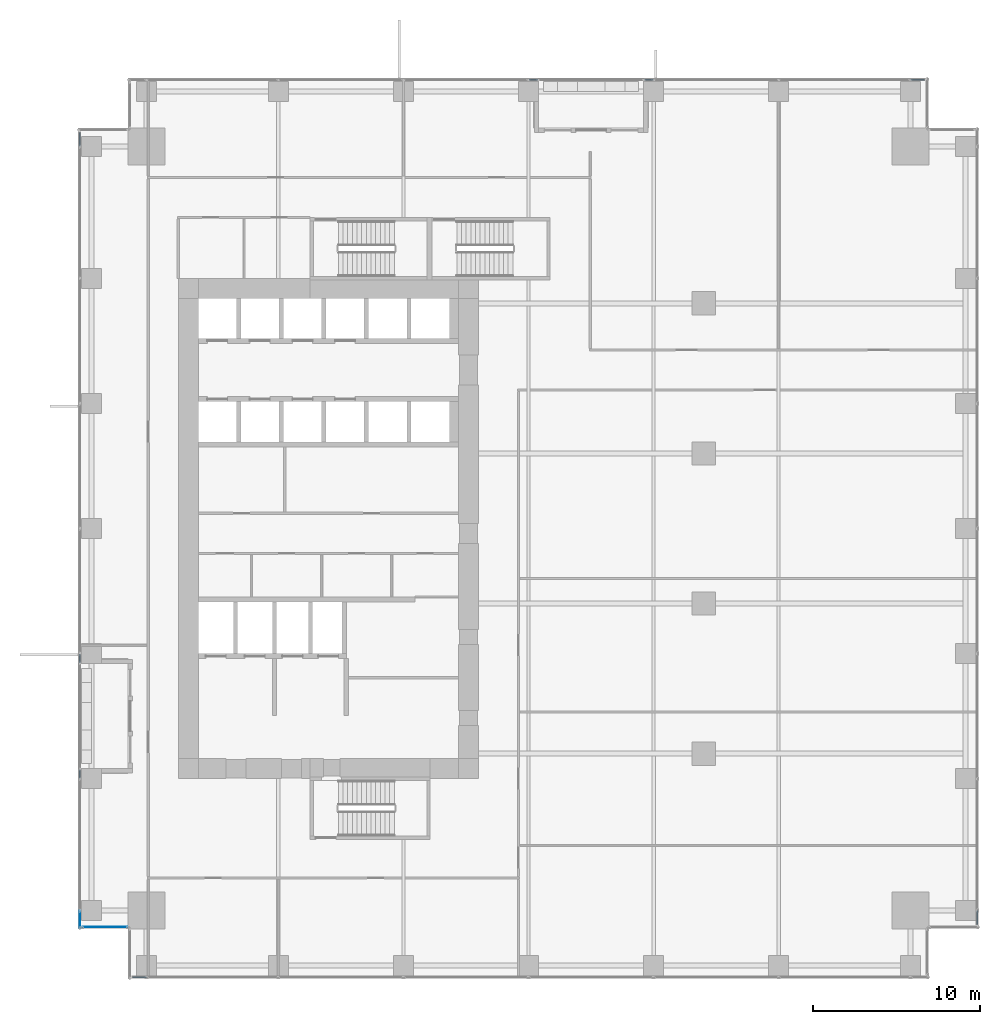
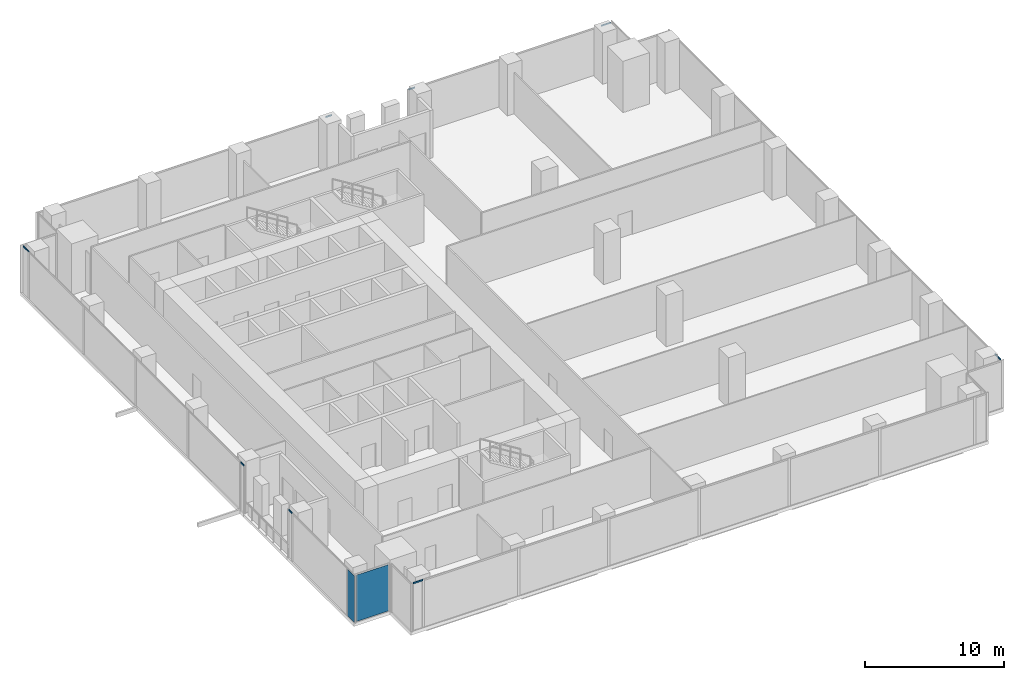
# One storey, part 21 of 33: 8 members, 2 plates, 7 elements without a shape of their own.
"""IFC4 building model written with IfcOpenShell, lengths in metres."""

import ifcopenshell
import ifcopenshell.guid

model = None  # the IFC model being written
_history = None  # IfcOwnerHistory: only IFC2X3 demands one
_inside = {}  # id of a spatial element -> (the spatial element, [elements in it])
_under = {}  # id of a project, library or spatial element -> (it, [spatial elements below it])
_declared = {}  # id of a project -> (the project, [libraries it declares])
_typed = {}  # id of a type object -> (the type object, [elements of that type])
_made_of = {}  # id of a material, layer set ... -> (it, [elements and type objects made of it])


def new_model(schema):
    """Start an empty IFC model of exactly this schema.

    Asked for "IFC4X3", IfcOpenShell would pick the latest addendum, in which some entities
    have other attributes; the version numbers below select the first issue.
    IFC2X3 requires an IfcOwnerHistory on every rooted entity: one is made here for all.
    """
    global model, _history
    if schema == "IFC4X3":
        model = ifcopenshell.file(schema_version=(4, 3, 0, 0))
    else:
        model = ifcopenshell.file(schema=schema)
    _inside.clear()
    _under.clear()
    _declared.clear()
    _typed.clear()
    _made_of.clear()
    _history = None
    if model.schema == "IFC2X3":
        org = make("IfcOrganization", Name="unknown")
        user = make(
            "IfcPersonAndOrganization",
            ThePerson=make("IfcPerson", FamilyName="unknown"),
            TheOrganization=org,
        )
        app = make(
            "IfcApplication",
            ApplicationDeveloper=org,
            Version="unknown",
            ApplicationFullName="unknown",
            ApplicationIdentifier="unknown",
        )
        _history = make(
            "IfcOwnerHistory",
            OwningUser=user,
            OwningApplication=app,
            ChangeAction="ADDED",
            CreationDate=0,
        )
    return model


def make(cls, **values):
    """One entity of the class cls with the attributes given. An attribute that is None is left unset."""
    return model.create_entity(
        cls, **{name: value for name, value in values.items() if value is not None}
    )


def rooted(cls, **values):
    """An entity with a GlobalId (a new one), such as an element, a storey or a relation."""
    return make(cls, GlobalId=ifcopenshell.guid.new(), OwnerHistory=_history, **values)


def si_unit(unit_type, name, prefix=None):
    """IfcSIUnit, for example si_unit("LENGTHUNIT", "METRE", prefix="MILLI")."""
    return make("IfcSIUnit", UnitType=unit_type, Prefix=prefix, Name=name)


def assignment(units):
    """IfcUnitAssignment: the units of a project."""
    return None if units is None else make("IfcUnitAssignment", Units=units)


def point(xyz):
    """IfcCartesianPoint."""
    return None if xyz is None else make("IfcCartesianPoint", Coordinates=xyz)


def direction(xyz):
    """IfcDirection."""
    return None if xyz is None else make("IfcDirection", DirectionRatios=xyz)


def frame(location, z_axis=None, x_axis=None):
    """IfcAxis2Placement3D, a coordinate frame: its origin and axes. An axis left out is left unset."""
    return make(
        "IfcAxis2Placement3D",
        Location=point(location),
        Axis=direction(z_axis),
        RefDirection=direction(x_axis),
    )


def frame_2d(location, x_axis=None):
    """IfcAxis2Placement2D, a coordinate frame in the plane: its origin and x axis."""
    return make(
        "IfcAxis2Placement2D", Location=point(location), RefDirection=direction(x_axis)
    )


def origin():
    """The frame at (0, 0, 0) with its axes left unset."""
    return frame((0.0, 0.0, 0.0))


def origin_2d():
    """The frame at (0, 0) in the plane with its x axis left unset."""
    return frame_2d((0.0, 0.0))


def place(relative_to, where):
    """IfcLocalPlacement: puts the frame where relative to a parent placement (None: the world)."""
    return make(
        "IfcLocalPlacement", PlacementRelTo=relative_to, RelativePlacement=where
    )


def context(
    kind, dimensions, precision=None, world=None, true_north=None, identifier=None
):
    """IfcGeometricRepresentationContext, for example the 3D "Model" context."""
    return make(
        "IfcGeometricRepresentationContext",
        ContextIdentifier=identifier,
        ContextType=kind,
        CoordinateSpaceDimension=dimensions,
        Precision=precision,
        WorldCoordinateSystem=world,
        TrueNorth=true_north,
    )


def subcontext(parent, identifier, kind, view, scale=None):
    """IfcGeometricRepresentationSubContext, for example "Body" below "Model"."""
    return make(
        "IfcGeometricRepresentationSubContext",
        ContextIdentifier=identifier,
        ContextType=kind,
        ParentContext=parent,
        TargetScale=scale,
        TargetView=view,
    )


def project(units=None, contexts=None):
    """IfcProject with its units and contexts."""
    return rooted(
        "IfcProject",
        Name="project",
        RepresentationContexts=contexts,
        UnitsInContext=assignment(units),
    )


def spatial(cls, under=None, at=None, **own):
    """A site, building, storey or space (cls), placed at a placement, below another one or the project."""
    s = rooted(cls, ObjectPlacement=at, **own)
    if under is not None:
        _under.setdefault(under.id(), (under, []))[1].append(s)
    return s


def profile(cls, at=None, kind="AREA", **sizes):
    """A parametric profile (cls). Its sizes go by their IFC names, for example OverallWidth=200.0."""
    return make(cls, ProfileType=kind, Position=at, **sizes)


def rectangle(**sizes):
    """IfcRectangleProfileDef."""
    return profile("IfcRectangleProfileDef", **sizes)


def hollow_rectangle(**sizes):
    """IfcRectangleHollowProfileDef."""
    return profile("IfcRectangleHollowProfileDef", **sizes)


def extrude(swept, where, along, depth):
    """IfcExtrudedAreaSolid: the profile swept, set in the frame where, extruded along a direction by depth."""
    return make(
        "IfcExtrudedAreaSolid",
        SweptArea=swept,
        Position=where,
        ExtrudedDirection=direction(along),
        Depth=depth,
    )


def shape(context_of_items, identifier, shape_type, items):
    """IfcShapeRepresentation: the items that make up one representation, for example the "Body"."""
    return make(
        "IfcShapeRepresentation",
        ContextOfItems=context_of_items,
        RepresentationIdentifier=identifier,
        RepresentationType=shape_type,
        Items=items,
    )


def source(mapping_origin, context_of_items, identifier, shape_type, items):
    """IfcRepresentationMap: a shape defined once, which mapped items show again and again."""
    return make(
        "IfcRepresentationMap",
        MappingOrigin=mapping_origin,
        MappedRepresentation=shape(context_of_items, identifier, shape_type, items),
    )


def transform(
    local_origin,
    x_axis=None,
    y_axis=None,
    z_axis=None,
    scale=None,
    scale2=None,
    scale3=None,
    uniform=True,
):
    """IfcCartesianTransformationOperator3D, or its non-uniform kind. x_axis, y_axis, z_axis: its Axis1, 2, 3."""
    if uniform:
        return make(
            "IfcCartesianTransformationOperator3D",
            Axis1=direction(x_axis),
            Axis2=direction(y_axis),
            LocalOrigin=point(local_origin),
            Scale=scale,
            Axis3=direction(z_axis),
        )
    return make(
        "IfcCartesianTransformationOperator3DnonUniform",
        Axis1=direction(x_axis),
        Axis2=direction(y_axis),
        LocalOrigin=point(local_origin),
        Scale=scale,
        Axis3=direction(z_axis),
        Scale2=scale2,
        Scale3=scale3,
    )


def mapped(mapping_source, mapping_target):
    """IfcMappedItem: shows the shape of a source again, moved by a transform."""
    return make(
        "IfcMappedItem", MappingSource=mapping_source, MappingTarget=mapping_target
    )


def material(Name=None, Category=None):
    """IfcMaterial."""
    return make("IfcMaterial", Name=Name, Category=Category)


def layer(
    of_material, thickness, ventilated=None, Name=None, Category=None, Priority=None
):
    """IfcMaterialLayer: one layer of a wall or slab, of a material (None: an air gap)."""
    return make(
        "IfcMaterialLayer",
        Material=of_material,
        LayerThickness=thickness,
        IsVentilated=ventilated,
        Name=Name,
        Category=Category,
        Priority=Priority,
    )


def layer_set(layers, Name=None):
    """IfcMaterialLayerSet."""
    return make("IfcMaterialLayerSet", MaterialLayers=layers, LayerSetName=Name)


def material_profile(
    of_material, cross_section, Name=None, Category=None, Priority=None
):
    """IfcMaterialProfile: a cross section and its material."""
    return make(
        "IfcMaterialProfile",
        Name=Name,
        Material=of_material,
        Profile=cross_section,
        Priority=Priority,
        Category=Category,
    )


def profile_set(profiles, Name=None, composite=None):
    """IfcMaterialProfileSet."""
    return make(
        "IfcMaterialProfileSet",
        Name=Name,
        MaterialProfiles=profiles,
        CompositeProfile=composite,
    )


def made_of(thing, what):
    """Note that an element or type object is made of a material, layer set ...; save() writes the relation."""
    if what is not None:
        _made_of.setdefault(what.id(), (what, []))[1].append(thing)
    return thing


def type_object(cls, material=None, **own):
    """A type object (cls), such as IfcWallType, which elements share."""
    return made_of(rooted(cls, **own), material)


def element(
    cls,
    number,
    at=None,
    inside=None,
    cuts=None,
    type_object=None,
    material=None,
    context=None,
    identifier="Body",
    shape_type=None,
    held_by="IfcProductDefinitionShape",
    body=None,
    shapes=None,
    **own,
):
    """One element of the class cls, such as IfcWall. Its Tag is "e" and its number.

    at: its placement. inside: the storey or other place that contains it. cuts: it is an
    opening in that element (IfcRelVoidsElement). A single representation is given by context,
    identifier, shape_type and body (its items); several are given by shapes. held_by: the class
    of the entity that holds the representations. save() writes the other relations.
    """
    e = rooted(cls, Tag="e%d" % number, ObjectPlacement=at, **own)
    if body is not None:
        shapes = [shape(context, identifier, shape_type, body)]
    if shapes is not None:
        e.Representation = make(held_by, Representations=shapes)
    if inside is not None:
        _inside.setdefault(inside.id(), (inside, []))[1].append(e)
    if cuts is not None:
        rooted(
            "IfcRelVoidsElement", RelatingBuildingElement=cuts, RelatedOpeningElement=e
        )
    if type_object is not None:
        _typed.setdefault(type_object.id(), (type_object, []))[1].append(e)
    return made_of(e, material)


def aggregate(whole, parts):
    """IfcRelAggregates: a whole, such as a stair, and the parts it consists of."""
    return rooted("IfcRelAggregates", RelatingObject=whole, RelatedObjects=parts)


def save(model, path):
    """Write the relations noted so far, then the file.

    IfcRelAggregates (storeys below a building ...), IfcRelContainedInSpatialStructure (elements
    in a storey), IfcRelDefinesByType, IfcRelAssociatesMaterial and IfcRelDeclares: one each for
    every whole, place, type object, material and project.
    """
    for whole, parts in _under.values():
        aggregate(whole, parts)
    for where, things in _inside.values():
        rooted(
            "IfcRelContainedInSpatialStructure",
            RelatedElements=things,
            RelatingStructure=where,
        )
    for kind, things in _typed.values():
        rooted("IfcRelDefinesByType", RelatedObjects=things, RelatingType=kind)
    for what, things in _made_of.values():
        rooted("IfcRelAssociatesMaterial", RelatedObjects=things, RelatingMaterial=what)
    for by, libraries in _declared.values():
        rooted("IfcRelDeclares", RelatingContext=by, RelatedDefinitions=libraries)
    model.write(path)


model = new_model("IFC4")

# Units and contexts
model_context = context("Model", 3, precision=1e-05, world=origin(), true_north=direction((0.0, 1.0)))
body_context = subcontext(model_context, "Body", "Model", "MODEL_VIEW")
ifc_project = project(units=[si_unit("LENGTHUNIT", "METRE"), si_unit("AREAUNIT", "SQUARE_METRE"), si_unit("VOLUMEUNIT", "CUBIC_METRE"), si_unit("PLANEANGLEUNIT", "RADIAN"), si_unit("MASSUNIT", "GRAM", prefix="KILO")], contexts=[model_context])

# Site, building, storey
site_placement = place(None, origin())
site = spatial("IfcSite", under=ifc_project, at=site_placement, CompositionType="ELEMENT")
building_placement = place(site_placement, origin())
building = spatial("IfcBuilding", under=site, at=building_placement, Name="Khomas Fold Tower", CompositionType="ELEMENT")
storey_placement = place(building_placement, frame((0.0, 0.0, 91.5)))
storey = spatial("IfcBuildingStorey", under=building, at=storey_placement, Name="L19", CompositionType="ELEMENT", Elevation=91.5)

# Curtain wall, member
ifc_material_1 = material(Name="Aluminium framed double glazing", Category="aluminium")
curtain_wall_type = type_object("IfcCurtainWallType", Name="SK-Unitised clear-glass wall, growing floors CW1", PredefinedType="NOTDEFINED", material=ifc_material_1)
curtain_wall_1_placement = place(storey_placement, origin())
curtain_wall_1 = element("IfcCurtainWall", 1, at=curtain_wall_1_placement, inside=storey, type_object=curtain_wall_type, Name="CW1 run L19 00-0", PredefinedType="NOTDEFINED")
ifc_material_2 = material(Name="Aluminium", Category="aluminium")
ifc_material_profile = material_profile(ifc_material_2, hollow_rectangle(XDim=0.06005859375, YDim=0.1201171875, WallThickness=0.00390625, at=origin_2d()), Name="SK-Unitised clear-glass wall, growing floors transom CW1-T")
ifc_profile_set = profile_set([ifc_material_profile], Name="Aluminium")
member_type = type_object("IfcMemberType", Name="SK-Unitised clear-glass wall, growing floors transom CW1-T", PredefinedType="USERDEFINED", material=ifc_profile_set)
shared_shape_1 = source(origin(), body_context, "Body", "SweptSolid", [
    extrude(hollow_rectangle(XDim=0.06005859375, YDim=0.1201171875, WallThickness=0.00390625, at=origin_2d()), origin(), (0.0, 0.0, 1.0), 0.81005859375),
])
member_1_placement = place(storey_placement, frame((3.260009765625, 0.10009765625, 4.139892578125), z_axis=(1.0, 0.0, 0.0), x_axis=(0.0, 1.0, 0.0)))
member_1 = element("IfcMember", 2, at=member_1_placement, type_object=member_type, Name="CW1 transom 1", ObjectType="TRANSOM", PredefinedType="USERDEFINED", context=body_context, shape_type="MappedRepresentation", body=[
    mapped(shared_shape_1, transform((0.0, 0.0, 0.0))),
])
aggregate(curtain_wall_1, [member_1])

curtain_wall_2_placement = place(storey_placement, origin())
curtain_wall_2 = element("IfcCurtainWall", 3, at=curtain_wall_2_placement, inside=storey, type_object=curtain_wall_type, Name="CW1 run L19 03-0", PredefinedType="NOTDEFINED")
member_2_placement = place(storey_placement, frame((53.89990234375, 3.260009765625, 4.139892578125), z_axis=(0.0, 1.0, 0.0), x_axis=(-1.0, 0.0, 0.0)))
member_2 = element("IfcMember", 4, at=member_2_placement, type_object=member_type, Name="CW1 transom 1", ObjectType="TRANSOM", PredefinedType="USERDEFINED", context=body_context, shape_type="MappedRepresentation", body=[
    mapped(shared_shape_1, transform((0.0, 0.0, 0.0))),
])
aggregate(curtain_wall_2, [member_2])

curtain_wall_3_placement = place(storey_placement, origin())
curtain_wall_3 = element("IfcCurtainWall", 5, at=curtain_wall_3_placement, inside=storey, type_object=curtain_wall_type, Name="CW1 run L19 06-0", PredefinedType="NOTDEFINED")
member_3_placement = place(storey_placement, frame((50.739990234375, 53.89990234375, 4.139892578125), z_axis=(-1.0, 0.0, 0.0), x_axis=(0.0, -1.0, 0.0)))
member_3 = element("IfcMember", 6, at=member_3_placement, type_object=member_type, Name="CW1 transom 1", ObjectType="TRANSOM", PredefinedType="USERDEFINED", context=body_context, shape_type="MappedRepresentation", body=[
    mapped(shared_shape_1, transform((0.0, 0.0, 0.0))),
])

curtain_wall_4_placement = place(storey_placement, origin())
curtain_wall_4 = element("IfcCurtainWall", 7, at=curtain_wall_4_placement, inside=storey, type_object=curtain_wall_type, Name="CW1 run L19 09-0", PredefinedType="NOTDEFINED")
member_4_placement = place(storey_placement, frame((0.10009765625, 50.739990234375, 4.139892578125), z_axis=(0.0, -1.0, 0.0), x_axis=(1.0, 0.0, 0.0)))
member_4 = element("IfcMember", 8, at=member_4_placement, type_object=member_type, Name="CW1 transom 1", ObjectType="TRANSOM", PredefinedType="USERDEFINED", context=body_context, shape_type="MappedRepresentation", body=[
    mapped(shared_shape_1, transform((0.0, 0.0, 0.0))),
])

# Member
shared_shape_2 = source(origin(), body_context, "Body", "SweptSolid", [
    extrude(hollow_rectangle(XDim=0.06005859375, YDim=0.1201171875, WallThickness=0.00390625, at=origin_2d()), origin(), (0.0, 0.0, 1.0), 0.510009765625),
])
member_5_placement = place(storey_placement, frame((34.469970703125, 53.89990234375, 4.139892578125), z_axis=(-1.0, 0.0, 0.0), x_axis=(0.0, -1.0, 0.0)))
member_5 = element("IfcMember", 9, at=member_5_placement, type_object=member_type, Name="CW1 transom 4", ObjectType="TRANSOM", PredefinedType="USERDEFINED", context=body_context, shape_type="MappedRepresentation", body=[
    mapped(shared_shape_2, transform((0.0, 0.0, 0.0))),
])

aggregate(curtain_wall_3, [member_3, member_5])

# Curtain wall, member
curtain_wall_5_placement = place(storey_placement, origin())
curtain_wall_5 = element("IfcCurtainWall", 10, at=curtain_wall_5_placement, inside=storey, type_object=curtain_wall_type, Name="CW1 run L19 06-1", PredefinedType="NOTDEFINED")
member_6_placement = place(storey_placement, frame((27.5400390625, 53.89990234375, 4.139892578125), z_axis=(-1.0, 0.0, 0.0), x_axis=(0.0, -1.0, 0.0)))
member_6 = element("IfcMember", 11, at=member_6_placement, type_object=member_type, Name="CW1 transom 1", ObjectType="TRANSOM", PredefinedType="USERDEFINED", context=body_context, shape_type="MappedRepresentation", body=[
    mapped(shared_shape_2, transform((0.0, 0.0, 0.0))),
])
aggregate(curtain_wall_5, [member_6])

# Member
member_7_placement = place(storey_placement, frame((0.10009765625, 19.469970703125, 4.139892578125), z_axis=(0.0, -1.0, 0.0), x_axis=(1.0, 0.0, 0.0)))
member_7 = element("IfcMember", 12, at=member_7_placement, type_object=member_type, Name="CW1 transom 6", ObjectType="TRANSOM", PredefinedType="USERDEFINED", context=body_context, shape_type="MappedRepresentation", body=[
    mapped(shared_shape_2, transform((0.0, 0.0, 0.0))),
])

aggregate(curtain_wall_4, [member_4, member_7])

# Curtain wall, member, plate
curtain_wall_6_placement = place(storey_placement, origin())
curtain_wall_6 = element("IfcCurtainWall", 13, at=curtain_wall_6_placement, inside=storey, type_object=curtain_wall_type, Name="CW1 run L19 09-1", PredefinedType="NOTDEFINED")
member_8_placement = place(storey_placement, frame((0.10009765625, 12.5400390625, 4.139892578125), z_axis=(0.0, -1.0, 0.0), x_axis=(1.0, 0.0, 0.0)))
member_8 = element("IfcMember", 14, at=member_8_placement, type_object=member_type, Name="CW1 transom 1", ObjectType="TRANSOM", PredefinedType="USERDEFINED", context=body_context, shape_type="MappedRepresentation", body=[
    mapped(shared_shape_2, transform((0.0, 0.0, 0.0))),
])
ifc_material_3 = material(Name="Clear double glazed unit")
ifc_layer = layer(ifc_material_3, 0.031982421875)
ifc_layer_set = layer_set([ifc_layer], Name="Clear double glazed unit")
plate_type = type_object("IfcPlateType", Name="SK-Unitised clear-glass wall, growing floors glass panel CW1-P", PredefinedType="CURTAIN_PANEL", material=ifc_layer_set)
shared_shape_3 = source(origin(), body_context, "Body", "SweptSolid", [
    extrude(rectangle(XDim=1.010009765625, YDim=0.031982421875, at=origin_2d()), origin(), (0.0, 0.0, 1.0), 4.080078125),
])
plate_1_placement = place(storey_placement, frame((0.10009765625, 3.56494140625, 0.0), z_axis=(0.0, 0.0, 1.0), x_axis=(0.0, -1.0, 0.0)))
plate_1 = element("IfcPlate", 15, at=plate_1_placement, type_object=plate_type, Name="CW1 glass panel 3", PredefinedType="CURTAIN_PANEL", context=body_context, shape_type="MappedRepresentation", body=[
    mapped(shared_shape_3, transform((0.0, 0.0, 0.0))),
])
aggregate(curtain_wall_6, [member_8, plate_1])

# Curtain wall, plate
curtain_wall_7_placement = place(storey_placement, origin())
curtain_wall_7 = element("IfcCurtainWall", 16, at=curtain_wall_7_placement, inside=storey, type_object=curtain_wall_type, Name="CW1 corner return L19 10", PredefinedType="NOTDEFINED")
shared_shape_4 = source(origin(), body_context, "Body", "SweptSolid", [
    extrude(rectangle(XDim=2.679931640625, YDim=0.031982421875, at=origin_2d()), origin(), (0.0, 0.0, 1.0), 4.080078125),
])
plate_2_placement = place(storey_placement, frame((1.60009765625, 3.10009765625, 0.0), z_axis=(0.0, 0.0, 1.0), x_axis=(1.0, 0.0, 0.0)))
plate_2 = element("IfcPlate", 17, at=plate_2_placement, type_object=plate_type, Name="CW1 glass panel 1", PredefinedType="CURTAIN_PANEL", context=body_context, shape_type="MappedRepresentation", body=[
    mapped(shared_shape_4, transform((0.0, 0.0, 0.0))),
])
aggregate(curtain_wall_7, [plate_2])

save(model, "model.ifc")
